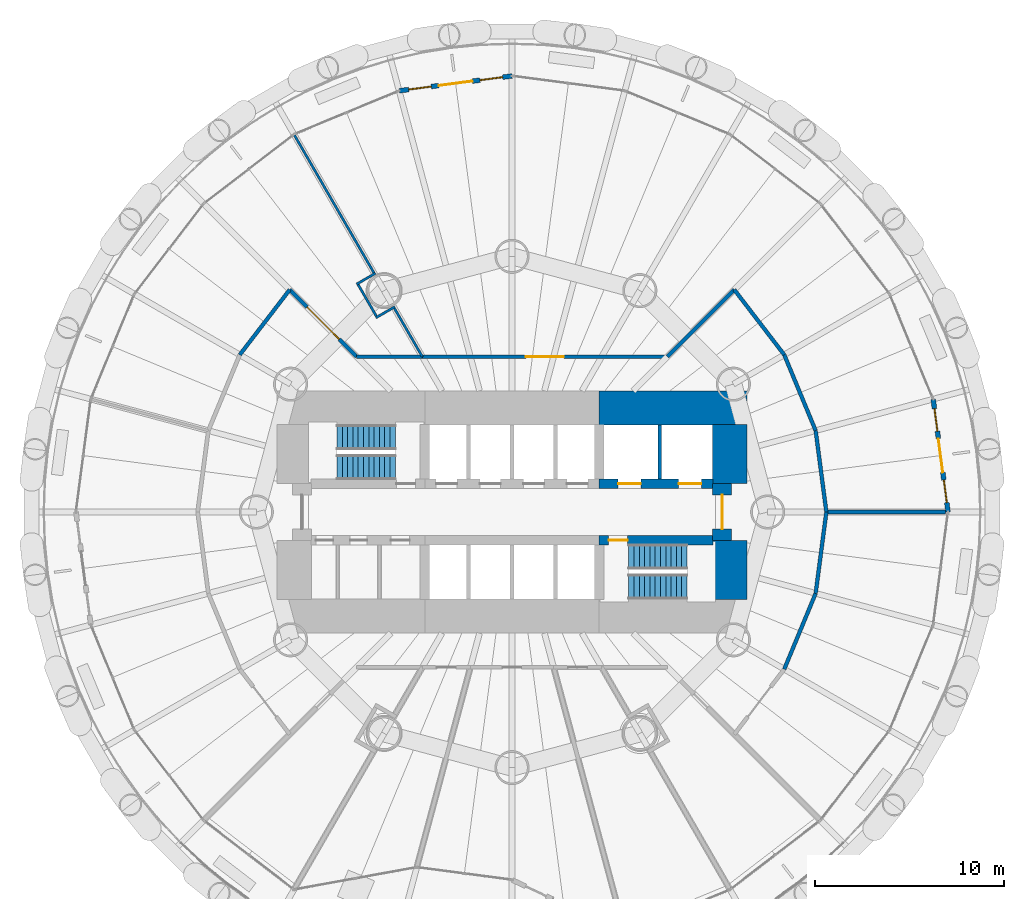
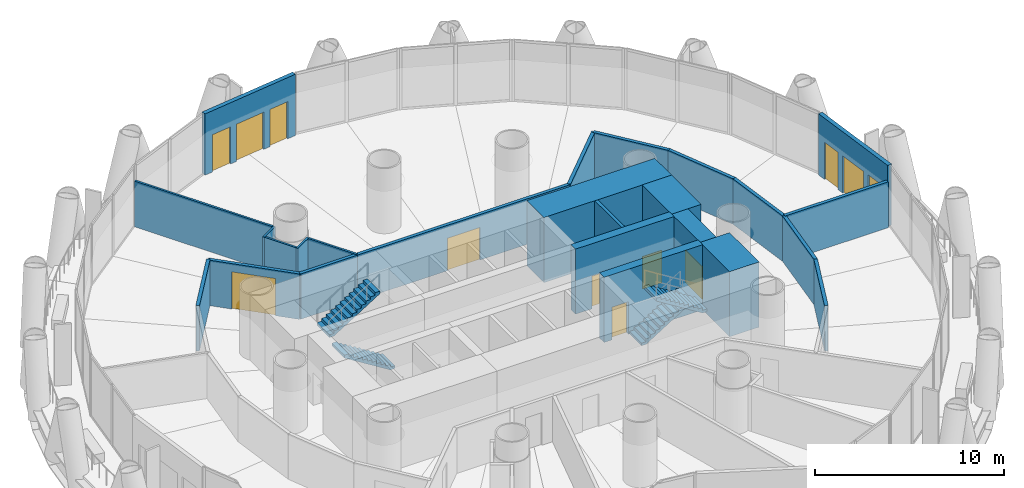
# One storey, part 11 of 15: 25 walls, 8 doors, 4 stair flights, 4 windows, 12 openings, 2 elements without a shape of their own.
"""IFC4 building model written with IfcOpenShell, lengths in metres."""

from ifc_helpers import new_model, si_unit, direction, frame, frame_2d, origin, place, context, subcontext, project, spatial, polyline, rectangle, outline, extrude, material, layer, layer_set, type_object, element, fill, aggregate, save


model = new_model("IFC4")

# Units and contexts
model_context = context("Model", 3, precision=1e-05, world=origin(), true_north=direction((0.0, 1.0)))
body_context = subcontext(model_context, "Body", "Model", "MODEL_VIEW")
ifc_project = project(units=[si_unit("LENGTHUNIT", "METRE"), si_unit("AREAUNIT", "SQUARE_METRE"), si_unit("VOLUMEUNIT", "CUBIC_METRE"), si_unit("PLANEANGLEUNIT", "RADIAN"), si_unit("MASSUNIT", "GRAM", prefix="KILO")], contexts=[model_context])

# Site, building, storey
site_placement = place(None, origin())
site = spatial("IfcSite", under=ifc_project, at=site_placement, CompositionType="ELEMENT")
building_placement = place(site_placement, origin())
building = spatial("IfcBuilding", under=site, at=building_placement, Name="Qaws Media Tower", CompositionType="ELEMENT")
storey_placement = place(building_placement, frame((0.0, 0.0, 97.39990234375)))
storey = spatial("IfcBuildingStorey", under=building, at=storey_placement, Name="L21", CompositionType="ELEMENT", Elevation=97.39990234375)

# Wall, openings, door, windows
ifc_material_1 = material(Name="Precast concrete, exposed finish", Category="concrete")
ifc_layer_1 = layer(ifc_material_1, 0.25)
ifc_layer_set_1 = layer_set([ifc_layer_1], Name="Balcony door wall 250")
wall_type_1 = type_object("IfcWallType", Name="Balcony door wall 250", PredefinedType="SOLIDWALL", material=ifc_layer_set_1)
wall_1_placement = place(storey_placement, frame((83.02490234375, 50.0, 0.0), z_axis=(0.0, 0.0, 1.0), x_axis=(-0.130505997029, 0.991447519912, 0.0)))
wall_1 = element("IfcWall", 1, at=wall_1_placement, inside=storey, type_object=wall_type_1, Name="W165 EW1 balcony door wall L21-01", PredefinedType="SOLIDWALL", context=body_context, shape_type="SweptSolid", body=[
    extrude(rectangle(XDim=6.0107421875, YDim=0.25, at=frame_2d((3.00537109375, 0.0))), origin(), (0.0, 0.0, 1.0), 3.9501953125),
])
opening_1_placement = place(wall_1_placement, frame((2.10546875, 0.0, 0.0)))
opening_1 = element("IfcOpeningElement", 2, at=opening_1_placement, cuts=wall_1, Name="Opening D7", PredefinedType="OPENING", context=body_context, shape_type="SweptSolid", body=[
    extrude(rectangle(XDim=1.800048828125, YDim=2.39990234375, at=frame_2d((0.89990234375, 1.199951171875))), frame((0.0, 0.135009765625, 0.0), z_axis=(0.0, -1.0, 0.0), x_axis=(1.0, 0.0, 0.0)), (0.0, 0.0, 1.0), 0.27001953125),
])
opening_2_placement = place(wall_1_placement, frame((0.50537109375, 0.0, 0.0)))
opening_2 = element("IfcOpeningElement", 3, at=opening_2_placement, cuts=wall_1, Name="Opening W1", PredefinedType="OPENING", context=body_context, shape_type="SweptSolid", body=[
    extrude(rectangle(XDim=1.199951171875, YDim=2.39990234375, at=frame_2d((0.60009765625, 1.199951171875))), frame((0.0, 0.135009765625, 0.0), z_axis=(0.0, -1.0, 0.0), x_axis=(1.0, 0.0, 0.0)), (0.0, 0.0, 1.0), 0.27001953125),
])
opening_3_placement = place(wall_1_placement, frame((4.305419921875, 0.0, 0.0)))
opening_3 = element("IfcOpeningElement", 4, at=opening_3_placement, cuts=wall_1, Name="Opening W1", PredefinedType="OPENING", context=body_context, shape_type="SweptSolid", body=[
    extrude(rectangle(XDim=1.199951171875, YDim=2.39990234375, at=frame_2d((0.60009765625, 1.199951171875))), frame((0.0, 0.135009765625, 0.0), z_axis=(0.0, -1.0, 0.0), x_axis=(1.0, 0.0, 0.0)), (0.0, 0.0, 1.0), 0.27001953125),
])
ifc_material_2 = material(Name="Aluminium and clear glass", Category="aluminium")
door_type_1 = type_object("IfcDoorType", Name="Balcony door pair 1800", OperationType="DOUBLE_DOOR_SLIDING", PredefinedType="DOOR", material=ifc_material_2)
door_1_placement = place(opening_1_placement, origin())
door_1 = element("IfcDoor", 5, at=door_1_placement, inside=storey, type_object=door_type_1, Name="D7 balcony door L21-01 in wall W165", OperationType="DOUBLE_DOOR_SLIDING", OverallHeight=2.39990234375, OverallWidth=1.800048828125, PredefinedType="DOOR", context=body_context, shape_type="SweptSolid", body=[
    extrude(rectangle(XDim=1.800048828125, YDim=2.39990234375, at=frame_2d((0.89990234375, 1.199951171875))), frame((0.0, 0.02490234375, 0.0), z_axis=(0.0, -1.0, 0.0), x_axis=(1.0, 0.0, 0.0)), (0.0, 0.0, 1.0), 0.050048828125),
])
fill(opening_1, door_1)
ifc_material_3 = material(Name="Aluminium and clear glass", Category="aluminium")
window_type = type_object("IfcWindowType", Name="Balcony side window 1200", PartitioningType="SINGLE_PANEL", PredefinedType="WINDOW", material=ifc_material_3)
window_1_placement = place(opening_2_placement, origin())
window_1 = element("IfcWindow", 6, at=window_1_placement, inside=storey, type_object=window_type, Name="W1 balcony side light L21-01L", OverallHeight=2.39990234375, OverallWidth=1.199951171875, PartitioningType="SINGLE_PANEL", PredefinedType="WINDOW", context=body_context, shape_type="SweptSolid", body=[
    extrude(rectangle(XDim=1.199951171875, YDim=2.39990234375, at=frame_2d((0.60009765625, 1.199951171875))), frame((0.0, 0.030029296875, 0.0), z_axis=(0.0, -1.0, 0.0), x_axis=(1.0, 0.0, 0.0)), (0.0, 0.0, 1.0), 0.06005859375),
])
fill(opening_2, window_1)
window_2_placement = place(opening_3_placement, origin())
window_2 = element("IfcWindow", 7, at=window_2_placement, inside=storey, type_object=window_type, Name="W1 balcony side light L21-01R", OverallHeight=2.39990234375, OverallWidth=1.199951171875, PartitioningType="SINGLE_PANEL", PredefinedType="WINDOW", context=body_context, shape_type="SweptSolid", body=[
    extrude(rectangle(XDim=1.199951171875, YDim=2.39990234375, at=frame_2d((0.60009765625, 1.199951171875))), frame((0.0, 0.030029296875, 0.0), z_axis=(0.0, -1.0, 0.0), x_axis=(1.0, 0.0, 0.0)), (0.0, 0.0, 1.0), 0.06005859375),
])
fill(opening_3, window_2)

wall_2_placement = place(storey_placement, frame((60.0, 73.02490234375, 0.0), z_axis=(0.0, 0.0, 1.0), x_axis=(-0.991447519912, -0.130505997029, 0.0)))
wall_2 = element("IfcWall", 8, at=wall_2_placement, inside=storey, type_object=wall_type_1, Name="W164 EW1 balcony door wall L21-07", PredefinedType="SOLIDWALL", context=body_context, shape_type="SweptSolid", body=[
    extrude(rectangle(XDim=6.0107421875, YDim=0.25, at=frame_2d((3.00537109375, 0.0))), origin(), (0.0, 0.0, 1.0), 3.9501953125),
])
opening_4_placement = place(wall_2_placement, frame((2.10546875, 0.0, 0.0)))
opening_4 = element("IfcOpeningElement", 9, at=opening_4_placement, cuts=wall_2, Name="Opening D7", PredefinedType="OPENING", context=body_context, shape_type="SweptSolid", body=[
    extrude(rectangle(XDim=1.800048828125, YDim=2.39990234375, at=frame_2d((0.89990234375, 1.199951171875))), frame((0.0, 0.135009765625, 0.0), z_axis=(0.0, -1.0, 0.0), x_axis=(1.0, 0.0, 0.0)), (0.0, 0.0, 1.0), 0.27001953125),
])
opening_5_placement = place(wall_2_placement, frame((0.50537109375, 0.0, 0.0)))
opening_5 = element("IfcOpeningElement", 10, at=opening_5_placement, cuts=wall_2, Name="Opening W1", PredefinedType="OPENING", context=body_context, shape_type="SweptSolid", body=[
    extrude(rectangle(XDim=1.199951171875, YDim=2.39990234375, at=frame_2d((0.60009765625, 1.199951171875))), frame((0.0, 0.135009765625, 0.0), z_axis=(0.0, -1.0, 0.0), x_axis=(1.0, 0.0, 0.0)), (0.0, 0.0, 1.0), 0.27001953125),
])
opening_6_placement = place(wall_2_placement, frame((4.305419921875, 0.0, 0.0)))
opening_6 = element("IfcOpeningElement", 11, at=opening_6_placement, cuts=wall_2, Name="Opening W1", PredefinedType="OPENING", context=body_context, shape_type="SweptSolid", body=[
    extrude(rectangle(XDim=1.199951171875, YDim=2.39990234375, at=frame_2d((0.60009765625, 1.199951171875))), frame((0.0, 0.135009765625, 0.0), z_axis=(0.0, -1.0, 0.0), x_axis=(1.0, 0.0, 0.0)), (0.0, 0.0, 1.0), 0.27001953125),
])
door_2_placement = place(opening_4_placement, origin())
door_2 = element("IfcDoor", 12, at=door_2_placement, inside=storey, type_object=door_type_1, Name="D7 balcony door L21-07 in wall W164", OperationType="DOUBLE_DOOR_SLIDING", OverallHeight=2.39990234375, OverallWidth=1.800048828125, PredefinedType="DOOR", context=body_context, shape_type="SweptSolid", body=[
    extrude(rectangle(XDim=1.800048828125, YDim=2.39990234375, at=frame_2d((0.89990234375, 1.199951171875))), frame((0.0, 0.02490234375, 0.0), z_axis=(0.0, -1.0, 0.0), x_axis=(1.0, 0.0, 0.0)), (0.0, 0.0, 1.0), 0.050048828125),
])
fill(opening_4, door_2)
window_3_placement = place(opening_5_placement, origin())
window_3 = element("IfcWindow", 13, at=window_3_placement, inside=storey, type_object=window_type, Name="W1 balcony side light L21-07L", OverallHeight=2.39990234375, OverallWidth=1.199951171875, PartitioningType="SINGLE_PANEL", PredefinedType="WINDOW", context=body_context, shape_type="SweptSolid", body=[
    extrude(rectangle(XDim=1.199951171875, YDim=2.39990234375, at=frame_2d((0.60009765625, 1.199951171875))), frame((0.0, 0.030029296875, 0.0), z_axis=(0.0, -1.0, 0.0), x_axis=(1.0, 0.0, 0.0)), (0.0, 0.0, 1.0), 0.06005859375),
])
fill(opening_5, window_3)
window_4_placement = place(opening_6_placement, origin())
window_4 = element("IfcWindow", 14, at=window_4_placement, inside=storey, type_object=window_type, Name="W1 balcony side light L21-07R", OverallHeight=2.39990234375, OverallWidth=1.199951171875, PartitioningType="SINGLE_PANEL", PredefinedType="WINDOW", context=body_context, shape_type="SweptSolid", body=[
    extrude(rectangle(XDim=1.199951171875, YDim=2.39990234375, at=frame_2d((0.60009765625, 1.199951171875))), frame((0.0, 0.030029296875, 0.0), z_axis=(0.0, -1.0, 0.0), x_axis=(1.0, 0.0, 0.0)), (0.0, 0.0, 1.0), 0.06005859375),
])
fill(opening_6, window_4)

# Wall, openings, doors
ifc_material_4 = material(Name="Concrete C60/75", Category="concrete")
ifc_layer_2 = layer(ifc_material_4, 0.5)
ifc_layer_set_2 = layer_set([ifc_layer_2], Name="Core inner wall 500")
wall_type_2 = type_object("IfcWallType", Name="Core inner wall 500", PredefinedType="SHEAR", material=ifc_layer_set_2)
wall_3_placement = place(storey_placement, frame((64.60009765625, 51.5, 0.0), z_axis=(0.0, 0.0, 1.0), x_axis=(1.0, 0.0, 0.0)))
wall_3 = element("IfcWall", 15, at=wall_3_placement, inside=storey, type_object=wall_type_2, Name="W336 SW12 core wall SPNE L21", PredefinedType="SHEAR", context=body_context, shape_type="SweptSolid", body=[
    extrude(rectangle(XDim=6.02001953125, YDim=0.5, at=frame_2d((3.010009765625, 0.0))), origin(), (0.0, 0.0, 1.0), 4.2001953125),
])
opening_7_placement = place(wall_3_placement, frame((1.0, 0.0, 0.0)))
opening_7 = element("IfcOpeningElement", 16, at=opening_7_placement, cuts=wall_3, Name="Opening LD2", PredefinedType="OPENING", context=body_context, shape_type="SweptSolid", body=[
    extrude(rectangle(XDim=1.199951171875, YDim=2.10009765625, at=frame_2d((0.60009765625, 1.050048828125))), frame((0.0, 0.260009765625, 0.0), z_axis=(0.0, -1.0, 0.0), x_axis=(1.0, 0.0, 0.0)), (0.0, 0.0, 1.0), 0.52001953125),
])
opening_8_placement = place(wall_3_placement, frame((4.199951171875, 0.0, 0.0)))
opening_8 = element("IfcOpeningElement", 17, at=opening_8_placement, cuts=wall_3, Name="Opening LD2", PredefinedType="OPENING", context=body_context, shape_type="SweptSolid", body=[
    extrude(rectangle(XDim=1.199951171875, YDim=2.10009765625, at=frame_2d((0.60009765625, 1.050048828125))), frame((0.0, 0.260009765625, 0.0), z_axis=(0.0, -1.0, 0.0), x_axis=(1.0, 0.0, 0.0)), (0.0, 0.0, 1.0), 0.52001953125),
])
ifc_material_5 = material(Name="Steel, fire rated", Category="steel")
door_type_2 = type_object("IfcDoorType", Name="Lift landing door 1200", OperationType="SLIDING_TO_LEFT", PredefinedType="DOOR", material=ifc_material_5)
door_3_placement = place(opening_7_placement, origin())
door_3 = element("IfcDoor", 18, at=door_3_placement, inside=storey, type_object=door_type_2, Name="FL1 landing door L21 in wall W336", OperationType="SLIDING_TO_LEFT", OverallHeight=2.10009765625, OverallWidth=1.199951171875, PredefinedType="DOOR", context=body_context, shape_type="SweptSolid", body=[
    extrude(rectangle(XDim=1.199951171875, YDim=2.10009765625, at=frame_2d((0.60009765625, 1.050048828125))), frame((0.0, 0.02490234375, 0.0), z_axis=(0.0, -1.0, 0.0), x_axis=(1.0, 0.0, 0.0)), (0.0, 0.0, 1.0), 0.050048828125),
])
fill(opening_7, door_3)
door_4_placement = place(opening_8_placement, origin())
door_4 = element("IfcDoor", 19, at=door_4_placement, inside=storey, type_object=door_type_2, Name="FL2 landing door L21 in wall W336", OperationType="SLIDING_TO_LEFT", OverallHeight=2.10009765625, OverallWidth=1.199951171875, PredefinedType="DOOR", context=body_context, shape_type="SweptSolid", body=[
    extrude(rectangle(XDim=1.199951171875, YDim=2.10009765625, at=frame_2d((0.60009765625, 1.050048828125))), frame((0.0, 0.02490234375, 0.0), z_axis=(0.0, -1.0, 0.0), x_axis=(1.0, 0.0, 0.0)), (0.0, 0.0, 1.0), 0.050048828125),
])
fill(opening_8, door_4)

# Wall, opening, door
wall_4_placement = place(storey_placement, frame((64.60009765625, 48.5, 0.0), z_axis=(0.0, 0.0, 1.0), x_axis=(1.0, 0.0, 0.0)))
wall_4 = element("IfcWall", 20, at=wall_4_placement, inside=storey, type_object=wall_type_2, Name="W335 SW12 core wall SPSE L21", PredefinedType="SHEAR", context=body_context, shape_type="SweptSolid", body=[
    extrude(rectangle(XDim=6.02001953125, YDim=0.5, at=frame_2d((3.010009765625, 0.0))), origin(), (0.0, 0.0, 1.0), 4.2001953125),
])
opening_9_placement = place(wall_4_placement, frame((0.5, 0.0, 0.0)))
opening_9 = element("IfcOpeningElement", 21, at=opening_9_placement, cuts=wall_4, Name="Opening D1", PredefinedType="OPENING", context=body_context, shape_type="SweptSolid", body=[
    extrude(rectangle(XDim=1.0, YDim=2.10009765625, at=frame_2d((0.5, 1.050048828125))), frame((0.0, 0.260009765625, 0.0), z_axis=(0.0, -1.0, 0.0), x_axis=(1.0, 0.0, 0.0)), (0.0, 0.0, 1.0), 0.52001953125),
])
ifc_material_6 = material(Name="Steel, fire rated", Category="steel")
door_type_3 = type_object("IfcDoorType", Name="Stair door 1000 FD120", OperationType="SINGLE_SWING_LEFT", PredefinedType="DOOR", material=ifc_material_6)
door_5_placement = place(opening_9_placement, origin())
door_5 = element("IfcDoor", 22, at=door_5_placement, inside=storey, type_object=door_type_3, Name="D1 stair S2 door L21 in wall W335", OperationType="SINGLE_SWING_LEFT", OverallHeight=2.10009765625, OverallWidth=1.0, PredefinedType="DOOR", context=body_context, shape_type="SweptSolid", body=[
    extrude(rectangle(XDim=1.0, YDim=2.10009765625, at=frame_2d((0.5, 1.050048828125))), frame((0.0, 0.02490234375, 0.0), z_axis=(0.0, -1.0, 0.0), x_axis=(1.0, 0.0, 0.0)), (0.0, 0.0, 1.0), 0.050048828125),
])
fill(opening_9, door_5)

ifc_material_7 = material(Name="Concrete C60/75", Category="concrete")
ifc_layer_3 = layer(ifc_material_7, 1.0)
ifc_layer_set_3 = layer_set([ifc_layer_3], Name="Core wall 1000")
wall_type_3 = type_object("IfcWallType", Name="Core wall 1000", PredefinedType="SHEAR", material=ifc_layer_set_3)
wall_5_placement = place(storey_placement, frame((71.10009765625, 48.5, 0.0), z_axis=(0.0, 0.0, 1.0), x_axis=(0.0, 1.0, 0.0)))
wall_5 = element("IfcWall", 23, at=wall_5_placement, inside=storey, type_object=wall_type_3, Name="W365 SW8 core wall E L21", PredefinedType="SHEAR", context=body_context, shape_type="SweptSolid", body=[
    extrude(rectangle(XDim=3.0, YDim=1.0, at=frame_2d((1.5, 0.0))), origin(), (0.0, 0.0, 1.0), 4.2001953125),
])
opening_10_placement = place(wall_5_placement, frame((0.60009765625, 0.0, 0.0)))
opening_10 = element("IfcOpeningElement", 24, at=opening_10_placement, cuts=wall_5, Name="Opening D2", PredefinedType="OPENING", context=body_context, shape_type="SweptSolid", body=[
    extrude(rectangle(XDim=1.800048828125, YDim=2.10009765625, at=frame_2d((0.89990234375, 1.050048828125))), frame((0.0, 0.510009765625, 0.0), z_axis=(0.0, -1.0, 0.0), x_axis=(1.0, 0.0, 0.0)), (0.0, 0.0, 1.0), 1.02001953125),
])
ifc_material_8 = material(Name="Steel and glass, fire rated", Category="steel")
door_type_4 = type_object("IfcDoorType", Name="Lobby door pair 1800 FD60", OperationType="DOUBLE_DOOR_DOUBLE_SWING", PredefinedType="DOOR", material=ifc_material_8)
door_6_placement = place(opening_10_placement, origin())
door_6 = element("IfcDoor", 25, at=door_6_placement, inside=storey, type_object=door_type_4, Name="D2 core lobby door E L21 in wall W365", OperationType="DOUBLE_DOOR_DOUBLE_SWING", OverallHeight=2.10009765625, OverallWidth=1.800048828125, PredefinedType="DOOR", context=body_context, shape_type="SweptSolid", body=[
    extrude(rectangle(XDim=1.800048828125, YDim=2.10009765625, at=frame_2d((0.89990234375, 1.050048828125))), frame((0.0, 0.02490234375, 0.0), z_axis=(0.0, -1.0, 0.0), x_axis=(1.0, 0.0, 0.0)), (0.0, 0.0, 1.0), 0.050048828125),
])
fill(opening_10, door_6)

# Walls
ifc_material_9 = material(Name="Concrete C60/75", Category="concrete")
ifc_layer_4 = layer(ifc_material_9, 1.800048828125)
ifc_layer_set_4 = layer_set([ifc_layer_4], Name="Core wall 1800")
wall_type_4 = type_object("IfcWallType", Name="Core wall 1800", PredefinedType="SHEAR", material=ifc_layer_set_4)
wall_6_placement = place(storey_placement, frame((64.60009765625, 55.5, 0.0), z_axis=(0.0, 0.0, 1.0), x_axis=(1.0, 0.0, 0.0)))
element("IfcWall", 26, at=wall_6_placement, inside=storey, type_object=wall_type_4, Name="W406 SW11 core wall NE L21", PredefinedType="SHEAR", context=body_context, shape_type="SweptSolid", body=[
    extrude(rectangle(XDim=7.7998046875, YDim=1.800048828125, at=frame_2d((3.89990234375, 0.0))), origin(), (0.0, 0.0, 1.0), 4.2001953125),
])
for number, where, z_axis, x_axis, name in (
    (27, (71.5, 45.3798828125, 0.0), (0.0, 0.0, 1.0), (0.0, 1.0, 0.0), "W407 SW11 core wall ES L21"),
    (28, (71.5, 51.5, 0.0), (0.0, 0.0, 1.0), (0.0, 1.0, 0.0), "W409 SW11 core wall EN L21"),
):
    element("IfcWall", number, at=place(storey_placement, frame(where, z_axis=z_axis, x_axis=x_axis)), inside=storey, type_object=wall_type_4, Name=name, PredefinedType="SHEAR", context=body_context, shape_type="SweptSolid", body=[
        extrude(rectangle(XDim=3.1201171875, YDim=1.800048828125, at=frame_2d((1.56005859375, 0.0))), origin(), (0.0, 0.0, 1.0), 4.2001953125),
    ])
ifc_material_10 = material(Name="Two layers gypsum board each side on 75 studs, insulated", Category="gypsum")
ifc_layer_5 = layer(ifc_material_10, 0.125)
ifc_layer_set_5 = layer_set([ifc_layer_5], Name="Meeting room partition 125 Rw 48")
wall_type_5 = type_object("IfcWallType", Name="Meeting room partition 125 Rw 48", PredefinedType="PARTITIONING", material=ifc_layer_set_5)
for number, where, z_axis, x_axis, name in (
    (29, (53.8154296875, 60.837158203125, 0.0), (0.0, 0.0, 1.0), (-0.86598888986, -0.50006323864, 0.0), "W534 IW5 partition return L21"),
    (30, (52.79296875, 62.608154296875, 0.0), (0.0, 0.0, 1.0), (-0.86598888986, -0.50006323864, 0.0), "W532 IW5 partition return L21"),
):
    element("IfcWall", number, at=place(storey_placement, frame(where, z_axis=z_axis, x_axis=x_axis)), inside=storey, type_object=wall_type_5, Name=name, PredefinedType="PARTITIONING", context=body_context, shape_type="SweptSolid", body=[
        extrude(rectangle(XDim=1.157470703125, YDim=0.125, at=frame_2d((0.57861328125, 0.0))), origin(), (0.0, 0.0, 1.0), 2.93017578125),
    ])
wall_7_placement = place(storey_placement, frame((52.835693359375, 60.34375, 0.0), z_axis=(0.0, 0.0, 1.0), x_axis=(-0.49996827322, 0.866043720474, 0.0)))
element("IfcWall", 31, at=wall_7_placement, inside=storey, type_object=wall_type_5, Name="W533 IW5 partition return L21", PredefinedType="PARTITIONING", context=body_context, shape_type="SweptSolid", body=[
    extrude(rectangle(XDim=1.919921875, YDim=0.125, at=frame_2d((0.9599609375, 0.0))), origin(), (0.0, 0.0, 1.0), 2.93017578125),
])
wall_8_placement = place(storey_placement, frame((55.27001953125, 58.192626953125, 0.0), z_axis=(0.0, 0.0, 1.0), x_axis=(-0.500013290014, 0.866017730655, 0.0)))
element("IfcWall", 32, at=wall_8_placement, inside=storey, type_object=wall_type_5, Name="W535 IW5 partition L21", PredefinedType="PARTITIONING", context=body_context, shape_type="SweptSolid", body=[
    extrude(rectangle(XDim=2.955078125, YDim=0.125, at=frame_2d((1.4775390625, 0.0))), origin(), (0.0, 0.0, 1.0), 2.9501953125),
])
wall_9_placement = place(storey_placement, frame((52.70751953125, 62.631103515625, 0.0), z_axis=(0.0, 0.0, 1.0), x_axis=(-0.500005915725, 0.866021988312, 0.0)))
element("IfcWall", 33, at=wall_9_placement, inside=storey, type_object=wall_type_5, Name="W531 IW5 partition L21", PredefinedType="PARTITIONING", context=body_context, shape_type="SweptSolid", body=[
    extrude(rectangle(XDim=8.39990234375, YDim=0.125, at=frame_2d((4.199951171875, 0.0))), origin(), (0.0, 0.0, 1.0), 2.9501953125),
])
ifc_material_11 = material(Name="Gypsum board on galvanised metal studs, acoustic double stud, deflection head", Category="gypsum")
ifc_layer_6 = layer(ifc_material_11, 0.199951171875)
ifc_layer_set_6 = layer_set([ifc_layer_6], Name="Room partition 200")
wall_type_6 = type_object("IfcWallType", Name="Room partition 200", PredefinedType="PARTITIONING", material=ifc_layer_set_6)
wall_10_placement = place(storey_placement, frame((45.6240234375, 58.300048828125, 0.0), z_axis=(0.0, 0.0, 1.0), x_axis=(0.60874374674, 0.79336690806, 0.0)))
element("IfcWall", 34, at=wall_10_placement, inside=storey, type_object=wall_type_6, Name="W1136 IW3 partition L21", PredefinedType="PARTITIONING", context=body_context, shape_type="SweptSolid", body=[
    extrude(rectangle(XDim=4.33349609375, YDim=0.199951171875, at=frame_2d((2.166748046875, 0.0))), origin(), (0.0, 0.0, 1.0), 2.93017578125),
])

# Wall, opening, door
wall_11_placement = place(storey_placement, frame((48.261962890625, 61.738037109375, 0.0), z_axis=(0.0, 0.0, 1.0), x_axis=(0.707106781187, -0.707106781187, 0.0)))
wall_11 = element("IfcWall", 35, at=wall_11_placement, inside=storey, type_object=wall_type_6, Name="W1138 IW3 partition L21", PredefinedType="PARTITIONING", context=body_context, shape_type="SweptSolid", body=[
    extrude(rectangle(XDim=5.003662109375, YDim=0.199951171875, at=frame_2d((2.501953125, 0.0))), origin(), (0.0, 0.0, 1.0), 2.93017578125),
])
opening_11_placement = place(wall_11_placement, frame((1.3017578125, 0.0, 0.0)))
opening_11 = element("IfcOpeningElement", 36, at=opening_11_placement, cuts=wall_11, Name="Opening D17", PredefinedType="OPENING", context=body_context, shape_type="SweptSolid", body=[
    extrude(rectangle(XDim=2.39990234375, YDim=2.39990234375, at=frame_2d((1.199951171875, 1.199951171875))), frame((0.0, 0.10986328125, 0.0), z_axis=(0.0, -1.0, 0.0), x_axis=(1.0, 0.0, 0.0)), (0.0, 0.0, 1.0), 0.219970703125),
])
ifc_material_12 = material(Name="Timber veneered, panic hardware", Category="wood")
door_type_5 = type_object("IfcDoorType", Name="Assembly room door pair 2400x2400", OperationType="DOUBLE_DOOR_DOUBLE_SWING", PredefinedType="DOOR", material=ifc_material_12)
door_7_placement = place(opening_11_placement, origin())
door_7 = element("IfcDoor", 37, at=door_7_placement, inside=storey, type_object=door_type_5, Name="D17 Training room door L21 in wall W1138", OperationType="DOUBLE_DOOR_DOUBLE_SWING", OverallHeight=2.39990234375, OverallWidth=2.39990234375, PredefinedType="DOOR", context=body_context, shape_type="SweptSolid", body=[
    extrude(rectangle(XDim=2.39990234375, YDim=2.39990234375, at=frame_2d((1.199951171875, 1.199951171875))), frame((0.0, 0.02490234375, 0.0), z_axis=(0.0, -1.0, 0.0), x_axis=(1.0, 0.0, 0.0)), (0.0, 0.0, 1.0), 0.050048828125),
])
fill(opening_11, door_7)

# Wall
wall_12_placement = place(storey_placement, frame((51.800048828125, 58.199951171875, 0.0), z_axis=(0.0, 0.0, 1.0), x_axis=(1.0, 0.0, 0.0)))
element("IfcWall", 38, at=wall_12_placement, inside=storey, type_object=wall_type_6, Name="W1140 IW3 partition L21", PredefinedType="PARTITIONING", context=body_context, shape_type="SweptSolid", body=[
    extrude(rectangle(XDim=3.465576171875, YDim=0.199951171875, at=frame_2d((1.73291015625, 0.0))), origin(), (0.0, 0.0, 1.0), 2.93017578125),
])

# Wall, opening, door
wall_13_placement = place(storey_placement, frame((55.265625, 58.199951171875, 0.0), z_axis=(0.0, 0.0, 1.0), x_axis=(1.0, 0.0, 0.0)))
wall_13 = element("IfcWall", 39, at=wall_13_placement, inside=storey, type_object=wall_type_6, Name="W1146 IW3 partition L21", PredefinedType="PARTITIONING", context=body_context, shape_type="SweptSolid", body=[
    extrude(rectangle(XDim=12.934326171875, YDim=0.199951171875, at=frame_2d((6.46728515625, 0.0))), origin(), (0.0, 0.0, 1.0), 2.93017578125),
])
opening_12_placement = place(wall_13_placement, frame((5.467041015625, 0.0, 0.0)))
opening_12 = element("IfcOpeningElement", 40, at=opening_12_placement, cuts=wall_13, Name="Opening D6", PredefinedType="OPENING", context=body_context, shape_type="SweptSolid", body=[
    extrude(rectangle(XDim=2.0, YDim=2.10009765625, at=frame_2d((1.0, 1.050048828125))), frame((0.0, 0.10986328125, 0.0), z_axis=(0.0, -1.0, 0.0), x_axis=(1.0, 0.0, 0.0)), (0.0, 0.0, 1.0), 0.219970703125),
])
ifc_material_13 = material(Name="Steel, acoustic, fire rated", Category="steel")
door_type_6 = type_object("IfcDoorType", Name="Room door pair 2000", OperationType="DOUBLE_DOOR_DOUBLE_SWING", PredefinedType="DOOR", material=ifc_material_13)
door_8_placement = place(opening_12_placement, origin())
door_8 = element("IfcDoor", 41, at=door_8_placement, inside=storey, type_object=door_type_6, Name="D6 Broadcast engineering office door L21 in wall W1146", OperationType="DOUBLE_DOOR_DOUBLE_SWING", OverallHeight=2.10009765625, OverallWidth=2.0, PredefinedType="DOOR", context=body_context, shape_type="SweptSolid", body=[
    extrude(rectangle(XDim=2.0, YDim=2.10009765625, at=frame_2d((1.0, 1.050048828125))), frame((0.0, 0.02490234375, 0.0), z_axis=(0.0, -1.0, 0.0), x_axis=(1.0, 0.0, 0.0)), (0.0, 0.0, 1.0), 0.050048828125),
])
fill(opening_12, door_8)

# Walls
wall_14_placement = place(storey_placement, frame((68.199951171875, 58.199951171875, 0.0), z_axis=(0.0, 0.0, 1.0), x_axis=(0.707106781187, 0.707106781187, 0.0)))
element("IfcWall", 42, at=wall_14_placement, inside=storey, type_object=wall_type_6, Name="W1160 IW3 partition L21", PredefinedType="PARTITIONING", context=body_context, shape_type="SweptSolid", body=[
    extrude(rectangle(XDim=5.003662109375, YDim=0.199951171875, at=frame_2d((2.501953125, 0.0))), origin(), (0.0, 0.0, 1.0), 2.93017578125),
])
for number, where, z_axis, x_axis, name in (
    (43, (71.738037109375, 61.738037109375, 0.0), (0.0, 0.0, 1.0), (0.60874374674, -0.79336690806, 0.0), "W1161 IW3 partition L21"),
    (44, (74.3759765625, 58.300048828125, 0.0), (0.0, 0.0, 1.0), (0.382698425325, -0.923873322082, 0.0), "W1163 IW3 partition L21"),
    (45, (76.034423828125, 54.29638671875, 0.0), (0.0, 0.0, 1.0), (0.130536124221, -0.99144355375, 0.0), "W1165 IW3 partition L21"),
    (46, (76.60009765625, 50.0, 0.0), (0.0, 0.0, 1.0), (-0.130536124221, -0.99144355375, 0.0), "W1166 IW3 partition L21"),
    (47, (76.034423828125, 45.70361328125, 0.0), (0.0, 0.0, 1.0), (-0.382698425325, -0.923873322082, 0.0), "W1164 IW3 partition L21"),
):
    element("IfcWall", number, at=place(storey_placement, frame(where, z_axis=z_axis, x_axis=x_axis)), inside=storey, type_object=wall_type_6, Name=name, PredefinedType="PARTITIONING", context=body_context, shape_type="SweptSolid", body=[
        extrude(rectangle(XDim=4.33349609375, YDim=0.199951171875, at=frame_2d((2.166748046875, 0.0))), origin(), (0.0, 0.0, 1.0), 2.93017578125),
    ])
wall_15_placement = place(storey_placement, frame((76.60009765625, 50.0, 0.0), z_axis=(0.0, 0.0, 1.0), x_axis=(1.0, 0.0, 0.0)))
element("IfcWall", 48, at=wall_15_placement, inside=storey, type_object=wall_type_6, Name="W1167 IW3 partition L21", PredefinedType="PARTITIONING", context=body_context, shape_type="SweptSolid", body=[
    extrude(rectangle(XDim=6.284912109375, YDim=0.199951171875, at=frame_2d((3.142578125, 0.0))), origin(), (0.0, 0.0, 1.0), 2.9501953125),
])
ifc_material_14 = material(Name="Fire-rated gypsum board shaft wall on galvanised metal studs, deflection head", Category="gypsum")
ifc_layer_7 = layer(ifc_material_14, 0.199951171875)
ifc_layer_set_7 = layer_set([ifc_layer_7], Name="Shaft wall 200")
wall_type_7 = type_object("IfcWallType", Name="Shaft wall 200", PredefinedType="PARTITIONING", material=ifc_layer_set_7)
wall_16_placement = place(storey_placement, frame((67.800048828125, 51.75, 0.0), z_axis=(0.0, 0.0, 1.0), x_axis=(0.0, 1.0, 0.0)))
element("IfcWall", 49, at=wall_16_placement, inside=storey, type_object=wall_type_7, Name="W1852 IW1 shaft wall FL L21", PredefinedType="PARTITIONING", context=body_context, shape_type="SweptSolid", body=[
    extrude(rectangle(XDim=2.85009765625, YDim=0.199951171875, at=frame_2d((1.425048828125, 0.0))), origin(), (0.0, 0.0, 1.0), 4.2001953125),
])

# Stair, stair flights
ifc_material_15 = material(Name="Concrete C40/50", Category="concrete")
stair_type = type_object("IfcStairType", Name="Exit stair", PredefinedType="HALF_TURN_STAIR", material=ifc_material_15)
stair_1_placement = place(storey_placement, origin())
stair_1 = element("IfcStair", 50, at=stair_1_placement, inside=storey, type_object=stair_type, Name="S1 exit stair L21", PredefinedType="HALF_TURN_STAIR")
ifc_material_16 = material(Name="Concrete C40/50", Category="concrete")
stair_flight_type = type_object("IfcStairFlightType", Name="Stair flight 1310", PredefinedType="STRAIGHT", material=ifc_material_16)
stair_flight_1_placement = place(storey_placement, frame((53.840087890625, 52.35498046875, 0.0), z_axis=(0.0, 0.0, 1.0), x_axis=(-1.0, 0.0, 0.0)))
stair_flight_1 = element("IfcStairFlight", 51, at=stair_flight_1_placement, type_object=stair_flight_type, Name="S1 flight 1", NumberOfRisers=12, NumberOfTreads=11, PredefinedType="STRAIGHT", RiserHeight=0.175, TreadLength=0.28, context=body_context, shape_type="SweptSolid", body=[
    extrude(outline(polyline([(0.0, 0.0), (0.0, 0.175048828125), (0.280029296875, 0.175048828125), (0.280029296875, 0.35009765625), (0.56005859375, 0.35009765625), (0.56005859375, 0.52490234375), (0.840087890625, 0.52490234375), (0.840087890625, 0.699951171875), (1.1201171875, 0.699951171875), (1.1201171875, 0.875), (1.39990234375, 0.875), (1.39990234375, 1.050048828125), (1.679931640625, 1.050048828125), (1.679931640625, 1.22509765625), (1.9599609375, 1.22509765625), (1.9599609375, 1.39990234375), (2.239990234375, 1.39990234375), (2.239990234375, 1.574951171875), (2.52001953125, 1.574951171875), (2.52001953125, 1.75), (2.800048828125, 1.75), (2.800048828125, 1.925048828125), (3.080078125, 1.925048828125), (3.080078125, 2.10009765625), (3.080078125, 1.748291015625), (0.28271484375, 0.0), (0.0, 0.0)])), frame((0.0, 0.655029296875, 0.0), z_axis=(0.0, -1.0, 0.0), x_axis=(1.0, 0.0, 0.0)), (0.0, 0.0, 1.0), 1.31005859375),
])
stair_flight_2_placement = place(storey_placement, frame((50.760009765625, 53.945068359375, 2.10009765625), z_axis=(0.0, 0.0, 1.0), x_axis=(1.0, 0.0, 0.0)))
stair_flight_2 = element("IfcStairFlight", 52, at=stair_flight_2_placement, type_object=stair_flight_type, Name="S1 flight 2", NumberOfRisers=12, NumberOfTreads=11, PredefinedType="STRAIGHT", RiserHeight=0.175, TreadLength=0.28, context=body_context, shape_type="SweptSolid", body=[
    extrude(outline(polyline([(0.0, 0.0), (0.0, 0.175048828125), (0.280029296875, 0.175048828125), (0.280029296875, 0.35009765625), (0.56005859375, 0.35009765625), (0.56005859375, 0.52490234375), (0.840087890625, 0.52490234375), (0.840087890625, 0.699951171875), (1.1201171875, 0.699951171875), (1.1201171875, 0.875), (1.39990234375, 0.875), (1.39990234375, 1.050048828125), (1.679931640625, 1.050048828125), (1.679931640625, 1.22509765625), (1.9599609375, 1.22509765625), (1.9599609375, 1.39990234375), (2.239990234375, 1.39990234375), (2.239990234375, 1.574951171875), (2.52001953125, 1.574951171875), (2.52001953125, 1.75), (2.800048828125, 1.75), (2.800048828125, 1.925048828125), (3.080078125, 1.925048828125), (3.080078125, 2.10009765625), (3.080078125, 1.748291015625), (0.28271484375, 0.0), (0.0, 0.0)])), frame((0.0, 0.655029296875, 0.0), z_axis=(0.0, -1.0, 0.0), x_axis=(1.0, 0.0, 0.0)), (0.0, 0.0, 1.0), 1.31005859375),
])
aggregate(stair_1, [stair_flight_1, stair_flight_2])

stair_2_placement = place(storey_placement, origin())
stair_2 = element("IfcStair", 53, at=stair_2_placement, inside=storey, type_object=stair_type, Name="S2 exit stair L21", PredefinedType="HALF_TURN_STAIR")
stair_flight_3_placement = place(storey_placement, frame((66.159912109375, 47.64501953125, 0.0), z_axis=(0.0, 0.0, 1.0), x_axis=(1.0, 0.0, 0.0)))
stair_flight_3 = element("IfcStairFlight", 54, at=stair_flight_3_placement, type_object=stair_flight_type, Name="S2 flight 1", NumberOfRisers=12, NumberOfTreads=11, PredefinedType="STRAIGHT", RiserHeight=0.175, TreadLength=0.28, context=body_context, shape_type="SweptSolid", body=[
    extrude(outline(polyline([(0.0, 0.0), (0.0, 0.175048828125), (0.280029296875, 0.175048828125), (0.280029296875, 0.35009765625), (0.56005859375, 0.35009765625), (0.56005859375, 0.52490234375), (0.840087890625, 0.52490234375), (0.840087890625, 0.699951171875), (1.1201171875, 0.699951171875), (1.1201171875, 0.875), (1.39990234375, 0.875), (1.39990234375, 1.050048828125), (1.679931640625, 1.050048828125), (1.679931640625, 1.22509765625), (1.9599609375, 1.22509765625), (1.9599609375, 1.39990234375), (2.239990234375, 1.39990234375), (2.239990234375, 1.574951171875), (2.52001953125, 1.574951171875), (2.52001953125, 1.75), (2.800048828125, 1.75), (2.800048828125, 1.925048828125), (3.080078125, 1.925048828125), (3.080078125, 2.10009765625), (3.080078125, 1.748291015625), (0.28271484375, 0.0), (0.0, 0.0)])), frame((0.0, 0.655029296875, 0.0), z_axis=(0.0, -1.0, 0.0), x_axis=(1.0, 0.0, 0.0)), (0.0, 0.0, 1.0), 1.31005859375),
])
stair_flight_4_placement = place(storey_placement, frame((69.239990234375, 46.054931640625, 2.10009765625), z_axis=(0.0, 0.0, 1.0), x_axis=(-1.0, 0.0, 0.0)))
stair_flight_4 = element("IfcStairFlight", 55, at=stair_flight_4_placement, type_object=stair_flight_type, Name="S2 flight 2", NumberOfRisers=12, NumberOfTreads=11, PredefinedType="STRAIGHT", RiserHeight=0.175, TreadLength=0.28, context=body_context, shape_type="SweptSolid", body=[
    extrude(outline(polyline([(0.0, 0.0), (0.0, 0.175048828125), (0.280029296875, 0.175048828125), (0.280029296875, 0.35009765625), (0.56005859375, 0.35009765625), (0.56005859375, 0.52490234375), (0.840087890625, 0.52490234375), (0.840087890625, 0.699951171875), (1.1201171875, 0.699951171875), (1.1201171875, 0.875), (1.39990234375, 0.875), (1.39990234375, 1.050048828125), (1.679931640625, 1.050048828125), (1.679931640625, 1.22509765625), (1.9599609375, 1.22509765625), (1.9599609375, 1.39990234375), (2.239990234375, 1.39990234375), (2.239990234375, 1.574951171875), (2.52001953125, 1.574951171875), (2.52001953125, 1.75), (2.800048828125, 1.75), (2.800048828125, 1.925048828125), (3.080078125, 1.925048828125), (3.080078125, 2.10009765625), (3.080078125, 1.748291015625), (0.28271484375, 0.0), (0.0, 0.0)])), frame((0.0, 0.655029296875, 0.0), z_axis=(0.0, -1.0, 0.0), x_axis=(1.0, 0.0, 0.0)), (0.0, 0.0, 1.0), 1.31005859375),
])
aggregate(stair_2, [stair_flight_3, stair_flight_4])

save(model, "model.ifc")
